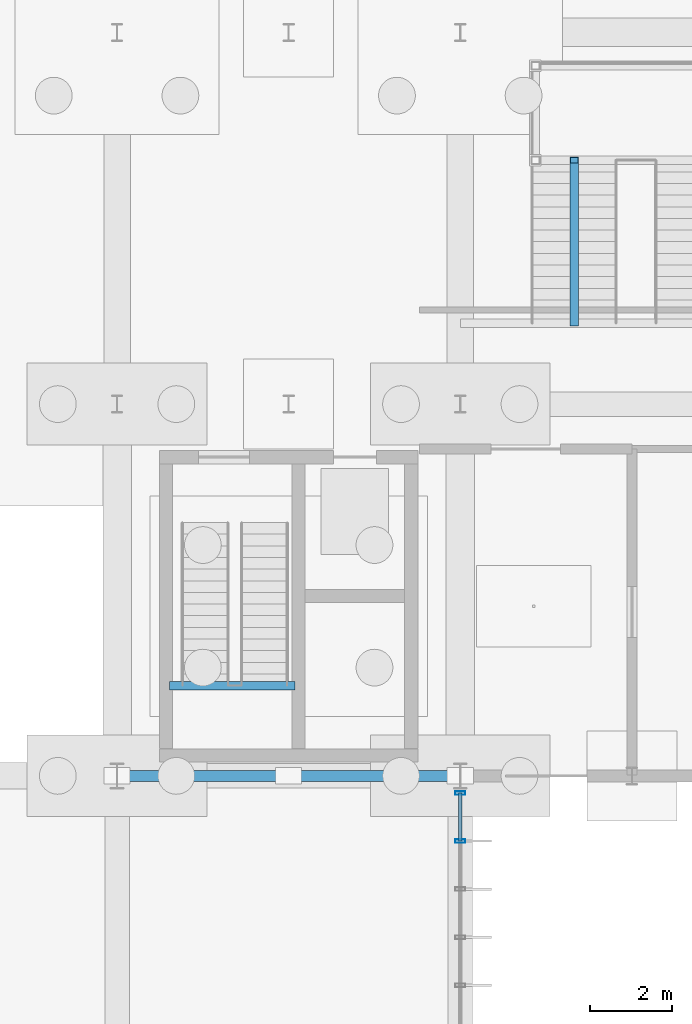
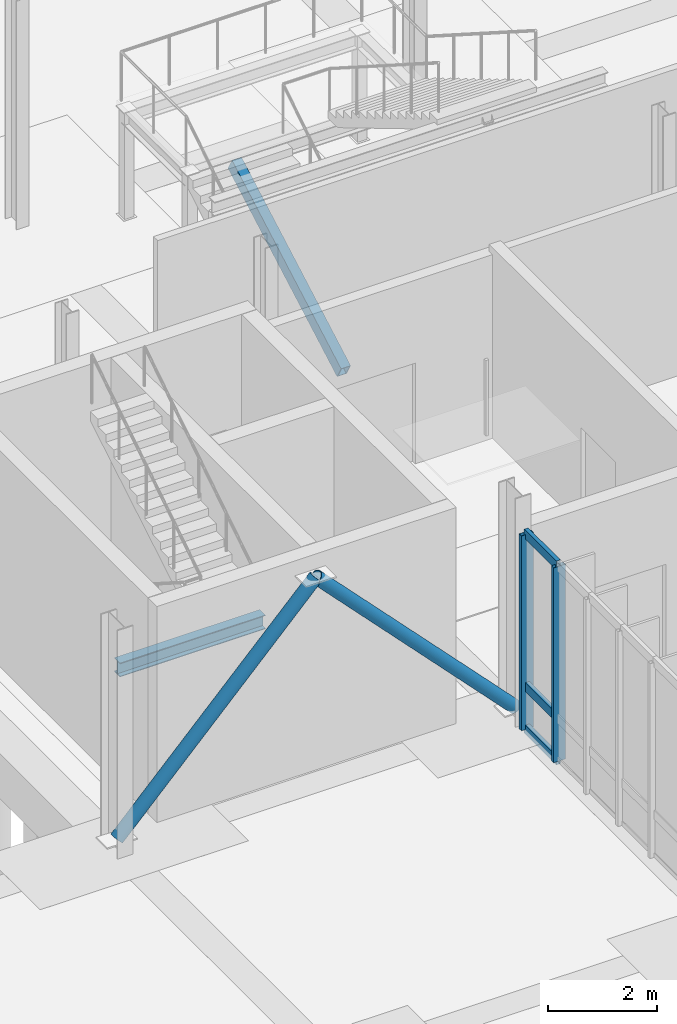
# One storey, part 38 of 119: 8 members, 1 beam, 1 element without a shape of its own.
"""IFC4 building model written with IfcOpenShell, lengths in metres."""

from ifc_helpers import new_model, si_unit, derived_unit, direction, frame, origin, origin_2d, place, context, subcontext, project, spatial, hollow_rectangle, hollow_circle, i_section, extrude, material, layer, layer_set, material_profile, profile_set, type_object, element, aggregate, save


model = new_model("IFC4")

# Units and contexts
model_context = context("Model", 3, precision=1e-05, world=origin(), true_north=direction((0.0, 1.0)))
body_context = subcontext(model_context, "Body", "Model", "MODEL_VIEW")
ifc_project = project(units=[si_unit("LENGTHUNIT", "METRE"), si_unit("AREAUNIT", "SQUARE_METRE"), si_unit("VOLUMEUNIT", "CUBIC_METRE"), si_unit("PLANEANGLEUNIT", "RADIAN"), si_unit("MASSUNIT", "GRAM", prefix="KILO"), derived_unit("THERMALTRANSMITTANCEUNIT", [(si_unit("MASSUNIT", "GRAM", prefix="KILO"), 1), (si_unit("TIMEUNIT", "SECOND"), -3), (si_unit("THERMODYNAMICTEMPERATUREUNIT", "KELVIN"), -1)])], contexts=[model_context])

# Site, building, storey
site_placement = place(None, origin())
site = spatial("IfcSite", under=ifc_project, at=site_placement, CompositionType="ELEMENT")
building_placement = place(site_placement, origin())
building = spatial("IfcBuilding", under=site, at=building_placement, Name="Makaiwela Harbour Ferry Terminal", CompositionType="ELEMENT")
storey_placement = place(building_placement, origin())
storey = spatial("IfcBuildingStorey", under=building, at=storey_placement, Name="L00", CompositionType="ELEMENT", Elevation=0.0)

# Curtain wall, members
ifc_material_1 = material(Name="Marine anodised aluminium 6063-T6", Category="aluminium")
ifc_layer = layer(ifc_material_1, 0.199951171875)
ifc_layer_set = layer_set([ifc_layer], Name="Marine anodised aluminium 6063-T6")
curtain_wall_type = type_object("IfcCurtainWallType", Name="ENV-CW-12", PredefinedType="USERDEFINED", material=ifc_layer_set)
curtain_wall_placement = place(storey_placement, origin())
curtain_wall = element("IfcCurtainWall", 1, at=curtain_wall_placement, inside=storey, type_object=curtain_wall_type, Name="Unitised Curtain Wall CWA-111", ObjectType="UNITIZED CURTAIN WALL", PredefinedType="USERDEFINED")
ifc_material_profile_1 = material_profile(ifc_material_1, hollow_rectangle(XDim=0.0849609375, YDim=0.25, WallThickness=0.0048828125, at=origin_2d()), Name="CWM-250X85")
ifc_profile_set_1 = profile_set([ifc_material_profile_1], Name="Marine anodised aluminium 6063-T6")
member_type_1 = type_object("IfcMemberType", Name="CW-MUL-250", PredefinedType="MULLION", material=ifc_profile_set_1)
member_1_placement = place(storey_placement, frame((71.39990234375, 48.97998046875, 0.0), z_axis=(0.0, 0.0, 1.0), x_axis=(0.0, 1.0, 0.0)))
member_1 = element("IfcMember", 2, at=member_1_placement, type_object=member_type_1, Name="Curtain Wall Mullion CWA-111-1", PredefinedType="MULLION", context=body_context, shape_type="SweptSolid", body=[
    extrude(hollow_rectangle(XDim=0.0849609375, YDim=0.25, WallThickness=0.0048828125, at=origin_2d()), origin(), (0.0, 0.0, 1.0), 4.35009765625),
])
member_2_placement = place(storey_placement, frame((71.39990234375, 47.80322265625, 0.0), z_axis=(0.0, 0.0, 1.0), x_axis=(0.0, 1.0, 0.0)))
member_2 = element("IfcMember", 3, at=member_2_placement, type_object=member_type_1, Name="Curtain Wall Mullion CWA-111-2", PredefinedType="MULLION", context=body_context, shape_type="SweptSolid", body=[
    extrude(hollow_rectangle(XDim=0.0849609375, YDim=0.25, WallThickness=0.0048828125, at=origin_2d()), origin(), (0.0, 0.0, 1.0), 4.35009765625),
])
ifc_material_profile_2 = material_profile(ifc_material_1, hollow_rectangle(XDim=0.0849609375, YDim=0.199951171875, WallThickness=0.0048828125, at=origin_2d()), Name="CWT-200X85")
ifc_profile_set_2 = profile_set([ifc_material_profile_2], Name="Marine anodised aluminium 6063-T6")
member_type_2 = type_object("IfcMemberType", Name="CW-TRN-200", PredefinedType="USERDEFINED", material=ifc_profile_set_2)
member_3_placement = place(storey_placement, frame((71.39990234375, 48.97998046875, 0.0), z_axis=(0.0, -1.0, 0.0), x_axis=(1.0, 0.0, 0.0)))
member_3 = element("IfcMember", 4, at=member_3_placement, type_object=member_type_2, Name="Curtain Wall Transom CWA-111-1-1", ObjectType="TRANSOM", PredefinedType="USERDEFINED", context=body_context, shape_type="SweptSolid", body=[
    extrude(hollow_rectangle(XDim=0.0849609375, YDim=0.199951171875, WallThickness=0.0048828125, at=origin_2d()), origin(), (0.0, 0.0, 1.0), 1.1767578125),
])
member_4_placement = place(storey_placement, frame((71.39990234375, 48.97998046875, 0.949951171875), z_axis=(0.0, -1.0, 0.0), x_axis=(1.0, 0.0, 0.0)))
member_4 = element("IfcMember", 5, at=member_4_placement, type_object=member_type_2, Name="Curtain Wall Transom CWA-111-1-2", ObjectType="TRANSOM", PredefinedType="USERDEFINED", context=body_context, shape_type="SweptSolid", body=[
    extrude(hollow_rectangle(XDim=0.0849609375, YDim=0.199951171875, WallThickness=0.0048828125, at=origin_2d()), origin(), (0.0, 0.0, 1.0), 1.1767578125),
])
member_5_placement = place(storey_placement, frame((71.39990234375, 48.97998046875, 4.35009765625), z_axis=(0.0, -1.0, 0.0), x_axis=(1.0, 0.0, 0.0)))
member_5 = element("IfcMember", 6, at=member_5_placement, type_object=member_type_2, Name="Curtain Wall Transom CWA-111-1-3", ObjectType="TRANSOM", PredefinedType="USERDEFINED", context=body_context, shape_type="SweptSolid", body=[
    extrude(hollow_rectangle(XDim=0.0849609375, YDim=0.199951171875, WallThickness=0.0048828125, at=origin_2d()), origin(), (0.0, 0.0, 1.0), 1.1767578125),
])
aggregate(curtain_wall, [member_1, member_2, member_3, member_4, member_5])

# Members
ifc_material_2 = material(Name="Steel ASTM A500 Grade C", Category="steel")
ifc_material_profile_3 = material_profile(ifc_material_2, hollow_circle(Radius=0.136474609375, WallThickness=0.0126953125, at=origin_2d()), Name="PIPE10XS")
ifc_profile_set_3 = profile_set([ifc_material_profile_3], Name="Steel ASTM A500 Grade C")
member_type_3 = type_object("IfcMemberType", Name="STR-BRC-PIPE10", PredefinedType="BRACE", material=ifc_profile_set_3)
for number, where, z_axis, x_axis, name in (
    (7, (63.0, 49.39990234375, 0.219970703125), (0.693070873882, 0.0, 0.720869449885), (0.0, 1.0, 0.0), "Lateral chevron brace 10A"),
    (8, (71.39990234375, 49.39990234375, 0.219970703125), (-0.693070873882, 0.0, 0.720869449885), (0.0, -1.0, 0.0), "Lateral chevron brace 10B"),
):
    element("IfcMember", number, at=place(storey_placement, frame(where, z_axis=z_axis, x_axis=x_axis)), inside=storey, type_object=member_type_3, Name=name, PredefinedType="BRACE", context=body_context, shape_type="SweptSolid", body=[
        extrude(hollow_circle(Radius=0.136474609375, WallThickness=0.0126953125, at=origin_2d()), origin(), (0.0, 0.0, 1.0), 6.059814453125),
    ])

# Beam
ifc_material_3 = material(Name="Steel ASTM A992 Grade 50", Category="steel")
ifc_material_profile_4 = material_profile(ifc_material_3, i_section(OverallWidth=0.205078125, OverallDepth=0.31005859375, WebThickness=0.009521484375, FlangeThickness=0.016357421875, at=origin_2d()), Name="W12X50")
ifc_profile_set_4 = profile_set([ifc_material_profile_4], Name="Steel ASTM A992 Grade 50")
beam_type = type_object("IfcBeamType", Name="STR-LNT-W12X50", PredefinedType="LINTEL", material=ifc_profile_set_4)
beam_placement = place(storey_placement, frame((64.284912109375, 51.610107421875, 2.2451171875), z_axis=(1.0, 0.0, 0.0), x_axis=(0.0, 1.0, 0.0)))
element("IfcBeam", 9, at=beam_placement, inside=storey, type_object=beam_type, Name="Stair Landing Beam ST-04-L00", PredefinedType="LINTEL", context=body_context, shape_type="SweptSolid", body=[
    extrude(i_section(OverallWidth=0.205078125, OverallDepth=0.31005859375, WebThickness=0.009521484375, FlangeThickness=0.016357421875, at=origin_2d()), origin(), (0.0, 0.0, 1.0), 3.070068359375),
])

# Member
ifc_material_profile_5 = material_profile(ifc_material_2, hollow_rectangle(XDim=0.202880859375, YDim=0.304931640625, WallThickness=0.01171875, at=origin_2d()), Name="HSS12X8X1/2")
ifc_profile_set_5 = profile_set([ifc_material_profile_5], Name="Steel ASTM A500 Grade C")
member_type_4 = type_object("IfcMemberType", Name="STR-STR-HSS12X8", PredefinedType="STRINGER", material=ifc_profile_set_5)
member_6_placement = place(storey_placement, frame((74.18994140625, 60.47998046875, 0.010009765625), z_axis=(0.0, 0.872439555383, 0.488722029586), x_axis=(-1.0, 0.0, 0.0)))
element("IfcMember", 10, at=member_6_placement, inside=storey, type_object=member_type_4, Name="Stair Stringer ST-08-L00-S1", PredefinedType="STRINGER", context=body_context, shape_type="SweptSolid", body=[
    extrude(hollow_rectangle(XDim=0.202880859375, YDim=0.304931640625, WallThickness=0.01171875, at=origin_2d()), origin(), (0.0, 0.0, 1.0), 4.573486328125),
])

save(model, "model.ifc")
